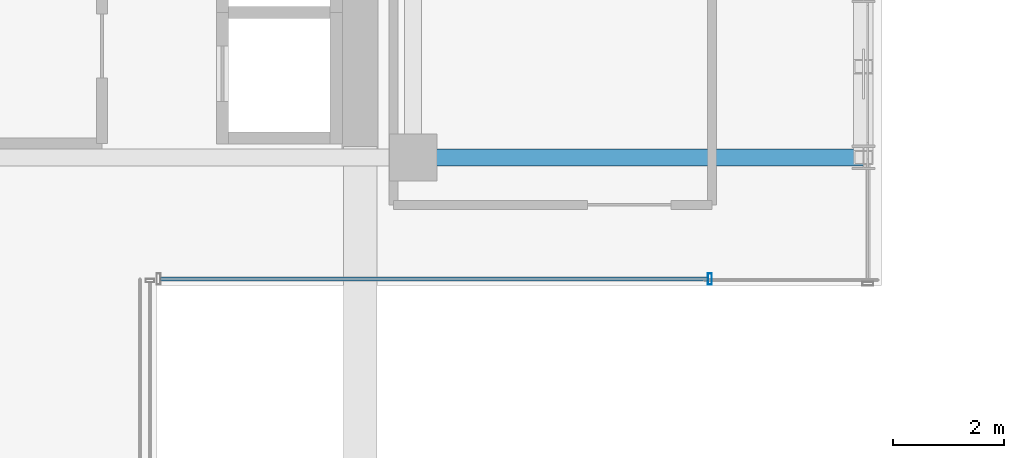
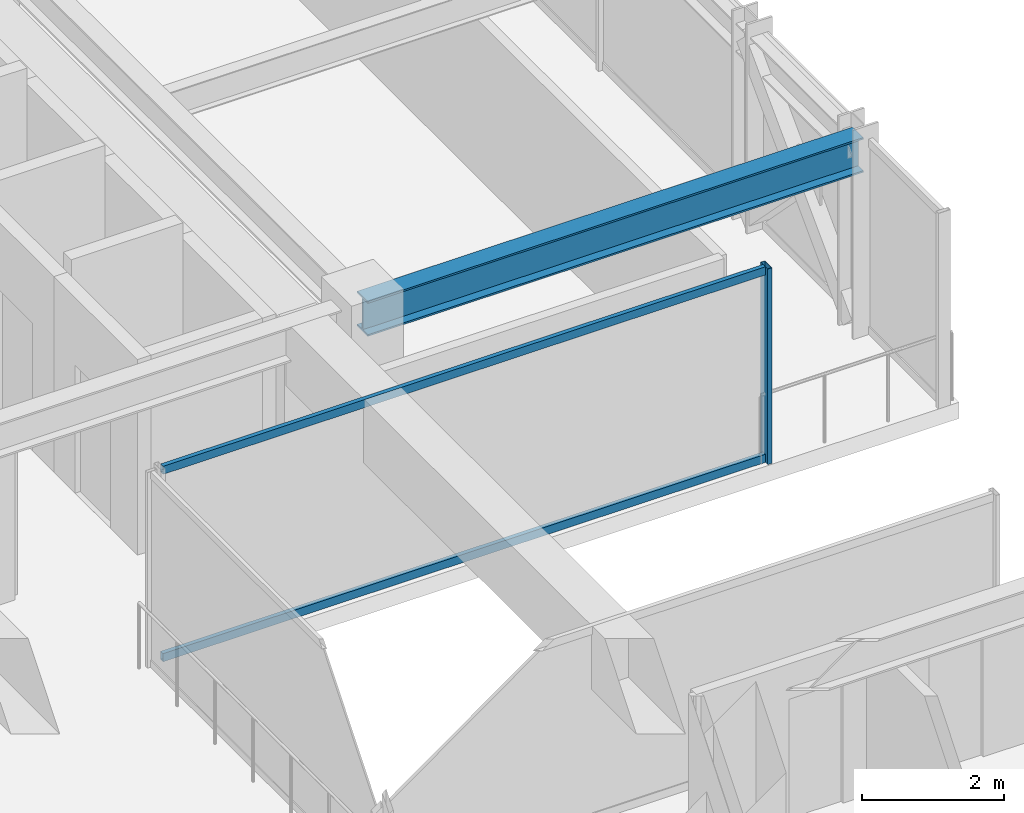
# One storey, part 21 of 41: 3 members, 1 beam, 1 element without a shape of its own.
"""IFC4 building model written with IfcOpenShell, lengths in metres."""

from ifc_helpers import new_model, si_unit, direction, frame, origin, origin_2d, place, context, subcontext, project, spatial, hollow_rectangle, i_section, extrude, source, transform, mapped, material, material_profile, profile_set, type_object, element, aggregate, save


model = new_model("IFC4")

# Units and contexts
model_context = context("Model", 3, precision=1e-05, world=origin(), true_north=direction((0.0, 1.0)))
body_context = subcontext(model_context, "Body", "Model", "MODEL_VIEW")
ifc_project = project(units=[si_unit("LENGTHUNIT", "METRE"), si_unit("AREAUNIT", "SQUARE_METRE"), si_unit("VOLUMEUNIT", "CUBIC_METRE"), si_unit("PLANEANGLEUNIT", "RADIAN"), si_unit("MASSUNIT", "GRAM", prefix="KILO")], contexts=[model_context])

# Site, building, storey
site_placement = place(None, origin())
site = spatial("IfcSite", under=ifc_project, at=site_placement, CompositionType="ELEMENT")
building_placement = place(site_placement, origin())
building = spatial("IfcBuilding", under=site, at=building_placement, Name="Nahalor Promenade Grand Hotel", CompositionType="ELEMENT")
storey_placement = place(building_placement, frame((0.0, 0.0, 54.300048828125)))
storey = spatial("IfcBuildingStorey", under=building, at=storey_placement, Name="L12", CompositionType="ELEMENT", Elevation=54.300048828125)

# Beam
ifc_material_1 = material(Name="Steel S355JR", Category="steel")
ifc_material_profile_1 = material_profile(ifc_material_1, i_section(OverallWidth=0.3, OverallDepth=0.6, WebThickness=0.0155, FlangeThickness=0.03, at=origin_2d()), Name="HEB 600")
ifc_profile_set_1 = profile_set([ifc_material_profile_1], Name="Steel S355JR")
beam_type = type_object("IfcBeamType", Name="Beam-Girder-HEB600", PredefinedType="BEAM", material=ifc_profile_set_1)
shared_shape_1 = source(origin(), body_context, "Body", "SweptSolid", [
    extrude(i_section(OverallWidth=0.3, OverallDepth=0.6, WebThickness=0.0155, FlangeThickness=0.03, at=origin_2d()), origin(), (0.0, 0.0, 1.0), 8.080078125),
])
beam_placement = place(storey_placement, frame((17.0, 5.39990234375, 3.070068359375), z_axis=(1.0, 0.0, 0.0), x_axis=(0.0, 1.0, 0.0)))
element("IfcBeam", 1, at=beam_placement, inside=storey, type_object=beam_type, Name="BM-L12-GX-2-6", PredefinedType="BEAM", context=body_context, shape_type="MappedRepresentation", body=[
    mapped(shared_shape_1, transform((0.0, 0.0, 0.0), scale=1.0)),
])

# Curtain wall, members
ifc_material_2 = material(Name="Anodised Bronze Aluminium EN AW-6063 T6", Category="aluminium")
curtain_wall_type = type_object("IfcCurtainWallType", Name="CW3 Elliptical-Void Collar Unitised Curtain Wall", PredefinedType="USERDEFINED", material=ifc_material_2)
curtain_wall_placement = place(storey_placement, origin())
curtain_wall = element("IfcCurtainWall", 2, at=curtain_wall_placement, inside=storey, type_object=curtain_wall_type, Name="L12 Curtain Wall CW-L12-VOID-EN1", ObjectType="UNITISED_CURTAIN_WALL", PredefinedType="USERDEFINED")
ifc_material_profile_2 = material_profile(ifc_material_2, hollow_rectangle(XDim=0.07, YDim=0.2, WallThickness=0.005, at=origin_2d()), Name="CWM 70x200x5")
ifc_profile_set_2 = profile_set([ifc_material_profile_2], Name="Anodised Bronze Aluminium EN AW-6063 T6")
member_type_1 = type_object("IfcMemberType", Name="CWM3 Void Collar Mullion 70x200", PredefinedType="MULLION", material=ifc_profile_set_2)
shared_shape_2 = source(origin(), body_context, "Body", "SweptSolid", [
    extrude(hollow_rectangle(XDim=0.07, YDim=0.2, WallThickness=0.005, at=origin_2d()), origin(), (0.0, 0.0, 1.0), 3.369873046875),
])
member_1_placement = place(storey_placement, frame((22.324951171875, 3.219970703125, 0.0), z_axis=(0.0, 0.0, 1.0), x_axis=(1.0, 0.0, 0.0)))
member_1 = element("IfcMember", 3, at=member_1_placement, type_object=member_type_1, Name="CW-L12-VOID-EN1 Mullion 1", PredefinedType="MULLION", context=body_context, shape_type="MappedRepresentation", body=[
    mapped(shared_shape_2, transform((0.0, 0.0, 0.0), scale=1.0)),
])
ifc_material_profile_3 = material_profile(ifc_material_2, hollow_rectangle(XDim=0.07, YDim=0.14, WallThickness=0.004, at=origin_2d()), Name="CWT 70x140x4")
ifc_profile_set_3 = profile_set([ifc_material_profile_3], Name="Anodised Bronze Aluminium EN AW-6063 T6")
member_type_2 = type_object("IfcMemberType", Name="CWT3 Void Collar Transom 70x140", PredefinedType="USERDEFINED", material=ifc_profile_set_3)
shared_shape_3 = source(origin(), body_context, "Body", "SweptSolid", [
    extrude(hollow_rectangle(XDim=0.07, YDim=0.14, WallThickness=0.004, at=origin_2d()), origin(), (0.0, 0.0, 1.0), 9.820068359375),
])
member_2_placement = place(storey_placement, frame((12.469970703125, 3.219970703125, 0.070068359375), z_axis=(1.0, 0.0, 0.0), x_axis=(0.0, 1.0, 0.0)))
member_2 = element("IfcMember", 4, at=member_2_placement, type_object=member_type_2, Name="CW-L12-VOID-EN1 Transom 0-0", ObjectType="TRANSOM", PredefinedType="USERDEFINED", context=body_context, shape_type="MappedRepresentation", body=[
    mapped(shared_shape_3, transform((0.0, 0.0, 0.0), scale=1.0)),
])
member_3_placement = place(storey_placement, frame((12.469970703125, 3.219970703125, 3.300048828125), z_axis=(1.0, 0.0, 0.0), x_axis=(0.0, 1.0, 0.0)))
member_3 = element("IfcMember", 5, at=member_3_placement, type_object=member_type_2, Name="CW-L12-VOID-EN1 Transom 0-1", ObjectType="TRANSOM", PredefinedType="USERDEFINED", context=body_context, shape_type="MappedRepresentation", body=[
    mapped(shared_shape_3, transform((0.0, 0.0, 0.0), scale=1.0)),
])
aggregate(curtain_wall, [member_1, member_2, member_3])

save(model, "model.ifc")
